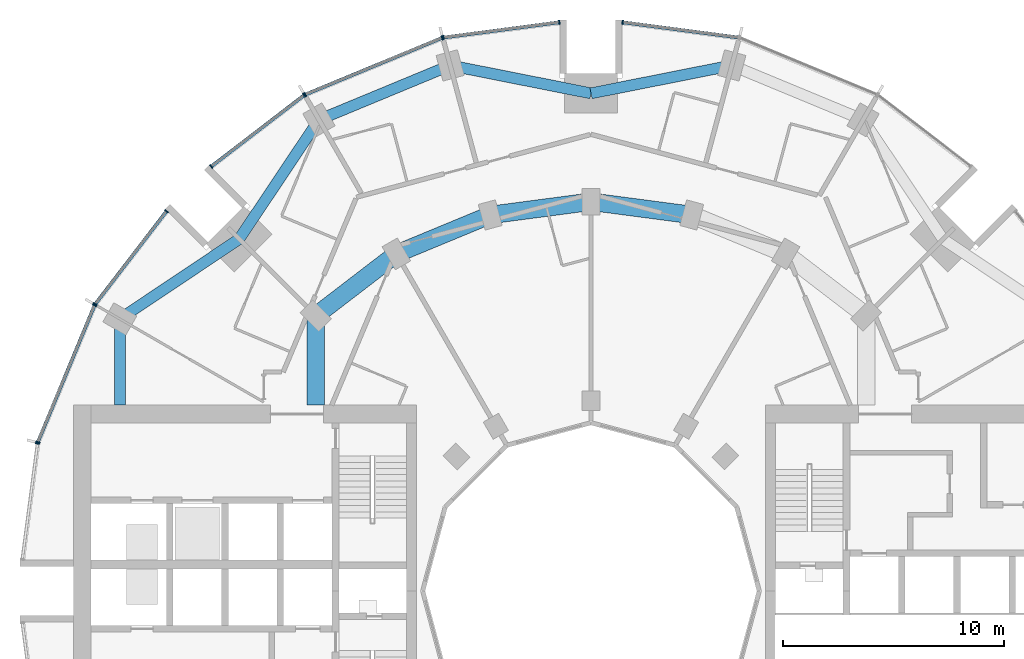
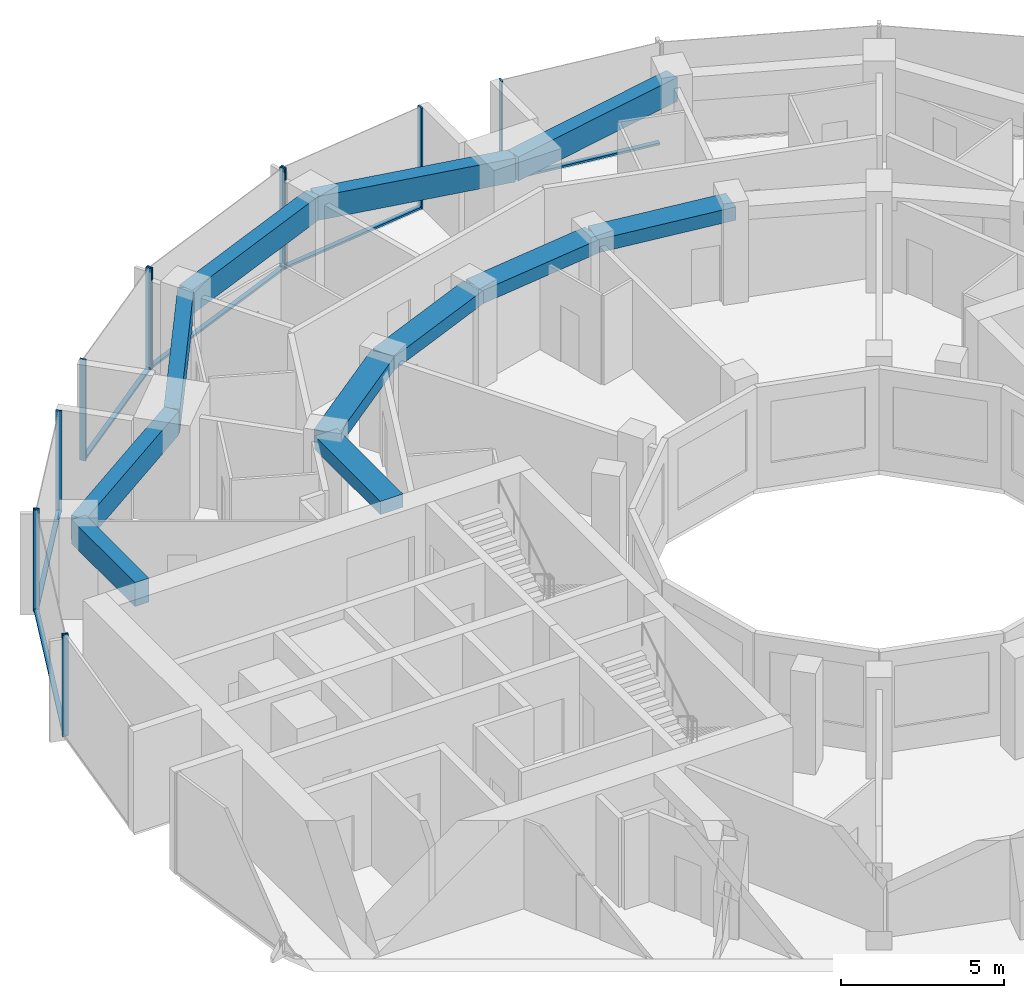
# One storey, part 5 of 15: 18 members, 11 beams, 7 elements without a shape of their own.
"""IFC4 building model written with IfcOpenShell, lengths in metres."""

import ifcopenshell
import ifcopenshell.guid

model = None  # the IFC model being written
_history = None  # IfcOwnerHistory: only IFC2X3 demands one
_inside = {}  # id of a spatial element -> (the spatial element, [elements in it])
_under = {}  # id of a project, library or spatial element -> (it, [spatial elements below it])
_declared = {}  # id of a project -> (the project, [libraries it declares])
_typed = {}  # id of a type object -> (the type object, [elements of that type])
_made_of = {}  # id of a material, layer set ... -> (it, [elements and type objects made of it])


def new_model(schema):
    """Start an empty IFC model of exactly this schema.

    Asked for "IFC4X3", IfcOpenShell would pick the latest addendum, in which some entities
    have other attributes; the version numbers below select the first issue.
    IFC2X3 requires an IfcOwnerHistory on every rooted entity: one is made here for all.
    """
    global model, _history
    if schema == "IFC4X3":
        model = ifcopenshell.file(schema_version=(4, 3, 0, 0))
    else:
        model = ifcopenshell.file(schema=schema)
    _inside.clear()
    _under.clear()
    _declared.clear()
    _typed.clear()
    _made_of.clear()
    _history = None
    if model.schema == "IFC2X3":
        org = make("IfcOrganization", Name="unknown")
        user = make(
            "IfcPersonAndOrganization",
            ThePerson=make("IfcPerson", FamilyName="unknown"),
            TheOrganization=org,
        )
        app = make(
            "IfcApplication",
            ApplicationDeveloper=org,
            Version="unknown",
            ApplicationFullName="unknown",
            ApplicationIdentifier="unknown",
        )
        _history = make(
            "IfcOwnerHistory",
            OwningUser=user,
            OwningApplication=app,
            ChangeAction="ADDED",
            CreationDate=0,
        )
    return model


def make(cls, **values):
    """One entity of the class cls with the attributes given. An attribute that is None is left unset."""
    return model.create_entity(
        cls, **{name: value for name, value in values.items() if value is not None}
    )


def rooted(cls, **values):
    """An entity with a GlobalId (a new one), such as an element, a storey or a relation."""
    return make(cls, GlobalId=ifcopenshell.guid.new(), OwnerHistory=_history, **values)


def si_unit(unit_type, name, prefix=None):
    """IfcSIUnit, for example si_unit("LENGTHUNIT", "METRE", prefix="MILLI")."""
    return make("IfcSIUnit", UnitType=unit_type, Prefix=prefix, Name=name)


def assignment(units):
    """IfcUnitAssignment: the units of a project."""
    return None if units is None else make("IfcUnitAssignment", Units=units)


def point(xyz):
    """IfcCartesianPoint."""
    return None if xyz is None else make("IfcCartesianPoint", Coordinates=xyz)


def direction(xyz):
    """IfcDirection."""
    return None if xyz is None else make("IfcDirection", DirectionRatios=xyz)


def frame(location, z_axis=None, x_axis=None):
    """IfcAxis2Placement3D, a coordinate frame: its origin and axes. An axis left out is left unset."""
    return make(
        "IfcAxis2Placement3D",
        Location=point(location),
        Axis=direction(z_axis),
        RefDirection=direction(x_axis),
    )


def frame_2d(location, x_axis=None):
    """IfcAxis2Placement2D, a coordinate frame in the plane: its origin and x axis."""
    return make(
        "IfcAxis2Placement2D", Location=point(location), RefDirection=direction(x_axis)
    )


def origin():
    """The frame at (0, 0, 0) with its axes left unset."""
    return frame((0.0, 0.0, 0.0))


def origin_2d():
    """The frame at (0, 0) in the plane with its x axis left unset."""
    return frame_2d((0.0, 0.0))


def place(relative_to, where):
    """IfcLocalPlacement: puts the frame where relative to a parent placement (None: the world)."""
    return make(
        "IfcLocalPlacement", PlacementRelTo=relative_to, RelativePlacement=where
    )


def context(
    kind, dimensions, precision=None, world=None, true_north=None, identifier=None
):
    """IfcGeometricRepresentationContext, for example the 3D "Model" context."""
    return make(
        "IfcGeometricRepresentationContext",
        ContextIdentifier=identifier,
        ContextType=kind,
        CoordinateSpaceDimension=dimensions,
        Precision=precision,
        WorldCoordinateSystem=world,
        TrueNorth=true_north,
    )


def subcontext(parent, identifier, kind, view, scale=None):
    """IfcGeometricRepresentationSubContext, for example "Body" below "Model"."""
    return make(
        "IfcGeometricRepresentationSubContext",
        ContextIdentifier=identifier,
        ContextType=kind,
        ParentContext=parent,
        TargetScale=scale,
        TargetView=view,
    )


def project(units=None, contexts=None):
    """IfcProject with its units and contexts."""
    return rooted(
        "IfcProject",
        Name="project",
        RepresentationContexts=contexts,
        UnitsInContext=assignment(units),
    )


def spatial(cls, under=None, at=None, **own):
    """A site, building, storey or space (cls), placed at a placement, below another one or the project."""
    s = rooted(cls, ObjectPlacement=at, **own)
    if under is not None:
        _under.setdefault(under.id(), (under, []))[1].append(s)
    return s


def profile(cls, at=None, kind="AREA", **sizes):
    """A parametric profile (cls). Its sizes go by their IFC names, for example OverallWidth=200.0."""
    return make(cls, ProfileType=kind, Position=at, **sizes)


def rectangle(**sizes):
    """IfcRectangleProfileDef."""
    return profile("IfcRectangleProfileDef", **sizes)


def extrude(swept, where, along, depth):
    """IfcExtrudedAreaSolid: the profile swept, set in the frame where, extruded along a direction by depth."""
    return make(
        "IfcExtrudedAreaSolid",
        SweptArea=swept,
        Position=where,
        ExtrudedDirection=direction(along),
        Depth=depth,
    )


def shape(context_of_items, identifier, shape_type, items):
    """IfcShapeRepresentation: the items that make up one representation, for example the "Body"."""
    return make(
        "IfcShapeRepresentation",
        ContextOfItems=context_of_items,
        RepresentationIdentifier=identifier,
        RepresentationType=shape_type,
        Items=items,
    )


def material(Name=None, Category=None):
    """IfcMaterial."""
    return make("IfcMaterial", Name=Name, Category=Category)


def layer(
    of_material, thickness, ventilated=None, Name=None, Category=None, Priority=None
):
    """IfcMaterialLayer: one layer of a wall or slab, of a material (None: an air gap)."""
    return make(
        "IfcMaterialLayer",
        Material=of_material,
        LayerThickness=thickness,
        IsVentilated=ventilated,
        Name=Name,
        Category=Category,
        Priority=Priority,
    )


def layer_set(layers, Name=None):
    """IfcMaterialLayerSet."""
    return make("IfcMaterialLayerSet", MaterialLayers=layers, LayerSetName=Name)


def material_profile(
    of_material, cross_section, Name=None, Category=None, Priority=None
):
    """IfcMaterialProfile: a cross section and its material."""
    return make(
        "IfcMaterialProfile",
        Name=Name,
        Material=of_material,
        Profile=cross_section,
        Priority=Priority,
        Category=Category,
    )


def profile_set(profiles, Name=None, composite=None):
    """IfcMaterialProfileSet."""
    return make(
        "IfcMaterialProfileSet",
        Name=Name,
        MaterialProfiles=profiles,
        CompositeProfile=composite,
    )


def made_of(thing, what):
    """Note that an element or type object is made of a material, layer set ...; save() writes the relation."""
    if what is not None:
        _made_of.setdefault(what.id(), (what, []))[1].append(thing)
    return thing


def type_object(cls, material=None, **own):
    """A type object (cls), such as IfcWallType, which elements share."""
    return made_of(rooted(cls, **own), material)


def element(
    cls,
    number,
    at=None,
    inside=None,
    cuts=None,
    type_object=None,
    material=None,
    context=None,
    identifier="Body",
    shape_type=None,
    held_by="IfcProductDefinitionShape",
    body=None,
    shapes=None,
    **own,
):
    """One element of the class cls, such as IfcWall. Its Tag is "e" and its number.

    at: its placement. inside: the storey or other place that contains it. cuts: it is an
    opening in that element (IfcRelVoidsElement). A single representation is given by context,
    identifier, shape_type and body (its items); several are given by shapes. held_by: the class
    of the entity that holds the representations. save() writes the other relations.
    """
    e = rooted(cls, Tag="e%d" % number, ObjectPlacement=at, **own)
    if body is not None:
        shapes = [shape(context, identifier, shape_type, body)]
    if shapes is not None:
        e.Representation = make(held_by, Representations=shapes)
    if inside is not None:
        _inside.setdefault(inside.id(), (inside, []))[1].append(e)
    if cuts is not None:
        rooted(
            "IfcRelVoidsElement", RelatingBuildingElement=cuts, RelatedOpeningElement=e
        )
    if type_object is not None:
        _typed.setdefault(type_object.id(), (type_object, []))[1].append(e)
    return made_of(e, material)


def aggregate(whole, parts):
    """IfcRelAggregates: a whole, such as a stair, and the parts it consists of."""
    return rooted("IfcRelAggregates", RelatingObject=whole, RelatedObjects=parts)


def save(model, path):
    """Write the relations noted so far, then the file.

    IfcRelAggregates (storeys below a building ...), IfcRelContainedInSpatialStructure (elements
    in a storey), IfcRelDefinesByType, IfcRelAssociatesMaterial and IfcRelDeclares: one each for
    every whole, place, type object, material and project.
    """
    for whole, parts in _under.values():
        aggregate(whole, parts)
    for where, things in _inside.values():
        rooted(
            "IfcRelContainedInSpatialStructure",
            RelatedElements=things,
            RelatingStructure=where,
        )
    for kind, things in _typed.values():
        rooted("IfcRelDefinesByType", RelatedObjects=things, RelatingType=kind)
    for what, things in _made_of.values():
        rooted("IfcRelAssociatesMaterial", RelatedObjects=things, RelatingMaterial=what)
    for by, libraries in _declared.values():
        rooted("IfcRelDeclares", RelatingContext=by, RelatedDefinitions=libraries)
    model.write(path)


model = new_model("IFC4")

# Units and contexts
model_context = context("Model", 3, precision=1e-05, world=origin(), true_north=direction((0.0, 1.0)))
body_context = subcontext(model_context, "Body", "Model", "MODEL_VIEW")
ifc_project = project(units=[si_unit("LENGTHUNIT", "METRE"), si_unit("AREAUNIT", "SQUARE_METRE"), si_unit("VOLUMEUNIT", "CUBIC_METRE"), si_unit("PLANEANGLEUNIT", "RADIAN"), si_unit("MASSUNIT", "GRAM", prefix="KILO")], contexts=[model_context])

# Site, building, storey
site_placement = place(None, origin())
site = spatial("IfcSite", under=ifc_project, at=site_placement, CompositionType="ELEMENT")
building_placement = place(site_placement, origin())
building = spatial("IfcBuilding", under=site, at=building_placement, Name="Torre Brocal", CompositionType="ELEMENT")
storey_placement = place(building_placement, frame((0.0, 0.0, 86.199951171875)))
storey = spatial("IfcBuildingStorey", under=building, at=storey_placement, Name="L19", CompositionType="ELEMENT", Elevation=86.199951171875)

# Curtain wall, member
ifc_material_1 = material(Name="Aluminium and glass", Category="aluminium")
ifc_layer_1 = layer(ifc_material_1, 0.199951171875)
ifc_layer_set_1 = layer_set([ifc_layer_1], Name="Aluminium and glass")
curtain_wall_type_1 = type_object("IfcCurtainWallType", Name="CW-1 CURTAIN WALL 3800 HIGH", PredefinedType="NOTDEFINED", material=ifc_layer_set_1)
curtain_wall_1_placement = place(storey_placement, origin())
curtain_wall_1 = element("IfcCurtainWall", 1, at=curtain_wall_1_placement, inside=storey, type_object=curtain_wall_type_1, Name="CW-1 RUN 6", PredefinedType="NOTDEFINED")
ifc_material_2 = material(Name="Aluminium, dark anodised", Category="aluminium")
ifc_material_profile_1 = material_profile(ifc_material_2, rectangle(XDim=0.199951171875, YDim=0.06005859375, at=origin_2d()), Name="CW-1 MULLION 60X200")
ifc_profile_set_1 = profile_set([ifc_material_profile_1], Name="Aluminium, dark anodised")
member_type_1 = type_object("IfcMemberType", Name="CW-1 MULLION 60X200", PredefinedType="MULLION", material=ifc_profile_set_1)
member_1_placement = place(storey_placement, frame((81.4296875, 100.7109375, 0.0), z_axis=(0.0, 0.0, 1.0), x_axis=(-0.13052619222, -0.991444861374, 0.0)))
member_1 = element("IfcMember", 2, at=member_1_placement, type_object=member_type_1, Name="CW1-1 mullion 2", PredefinedType="MULLION", context=body_context, shape_type="SweptSolid", body=[
    extrude(rectangle(XDim=0.199951171875, YDim=0.06005859375, at=origin_2d()), origin(), (0.0, 0.0, 1.0), 3.800048828125),
])

# Curtain wall, members
curtain_wall_2_placement = place(storey_placement, origin())
curtain_wall_2 = element("IfcCurtainWall", 3, at=curtain_wall_2_placement, inside=storey, type_object=curtain_wall_type_1, Name="CW-1 RUN 7", PredefinedType="NOTDEFINED")
member_2_placement = place(storey_placement, frame((78.5703125, 100.7109375, 0.0), z_axis=(0.0, 0.0, 1.0), x_axis=(0.13052619222, -0.991444861374, 0.0)))
member_2 = element("IfcMember", 4, at=member_2_placement, type_object=member_type_1, Name="CW1-1 mullion 1", PredefinedType="MULLION", context=body_context, shape_type="SweptSolid", body=[
    extrude(rectangle(XDim=0.199951171875, YDim=0.06005859375, at=origin_2d()), origin(), (0.0, 0.0, 1.0), 3.800048828125),
])
member_3_placement = place(storey_placement, frame((73.32666015625, 100.0205078125, 0.0), z_axis=(0.0, 0.0, 1.0), x_axis=(0.13052619222, -0.991444861374, 0.0)))
member_3 = element("IfcMember", 5, at=member_3_placement, type_object=member_type_1, Name="CW1-1 mullion 2", PredefinedType="MULLION", context=body_context, shape_type="SweptSolid", body=[
    extrude(rectangle(XDim=0.199951171875, YDim=0.06005859375, at=origin_2d()), origin(), (0.0, 0.0, 1.0), 3.800048828125),
])

curtain_wall_3_placement = place(storey_placement, origin())
curtain_wall_3 = element("IfcCurtainWall", 6, at=curtain_wall_3_placement, inside=storey, type_object=curtain_wall_type_1, Name="CW-1 RUN 8", PredefinedType="NOTDEFINED")
member_4_placement = place(storey_placement, frame((73.26904296875, 100.005126953125, 0.0), z_axis=(0.0, 0.0, 1.0), x_axis=(0.382683432333, -0.923879532525, 0.0)))
member_4 = element("IfcMember", 7, at=member_4_placement, type_object=member_type_1, Name="CW1-1 mullion 1", PredefinedType="MULLION", context=body_context, shape_type="SweptSolid", body=[
    extrude(rectangle(XDim=0.199951171875, YDim=0.06005859375, at=origin_2d()), origin(), (0.0, 0.0, 1.0), 3.800048828125),
])
member_5_placement = place(storey_placement, frame((67.078125, 97.440673828125, 0.0), z_axis=(0.0, 0.0, 1.0), x_axis=(0.382683432333, -0.923879532525, 0.0)))
member_5 = element("IfcMember", 8, at=member_5_placement, type_object=member_type_1, Name="CW1-1 mullion 2", PredefinedType="MULLION", context=body_context, shape_type="SweptSolid", body=[
    extrude(rectangle(XDim=0.199951171875, YDim=0.06005859375, at=origin_2d()), origin(), (0.0, 0.0, 1.0), 3.800048828125),
])

curtain_wall_4_placement = place(storey_placement, origin())
curtain_wall_4 = element("IfcCurtainWall", 9, at=curtain_wall_4_placement, inside=storey, type_object=curtain_wall_type_1, Name="CW-1 RUN 9", PredefinedType="NOTDEFINED")
member_6_placement = place(storey_placement, frame((67.026611328125, 97.4111328125, 0.0), z_axis=(0.0, 0.0, 1.0), x_axis=(0.60876142905, -0.793353340259, 0.0)))
member_6 = element("IfcMember", 10, at=member_6_placement, type_object=member_type_1, Name="CW1-1 mullion 1", PredefinedType="MULLION", context=body_context, shape_type="SweptSolid", body=[
    extrude(rectangle(XDim=0.199951171875, YDim=0.06005859375, at=origin_2d()), origin(), (0.0, 0.0, 1.0), 3.800048828125),
])
member_7_placement = place(storey_placement, frame((62.83056640625, 94.19140625, 0.0), z_axis=(0.0, 0.0, 1.0), x_axis=(0.60876142905, -0.793353340259, 0.0)))
member_7 = element("IfcMember", 11, at=member_7_placement, type_object=member_type_1, Name="CW1-1 mullion 2", PredefinedType="MULLION", context=body_context, shape_type="SweptSolid", body=[
    extrude(rectangle(XDim=0.199951171875, YDim=0.06005859375, at=origin_2d()), origin(), (0.0, 0.0, 1.0), 3.800048828125),
])

curtain_wall_5_placement = place(storey_placement, origin())
curtain_wall_5 = element("IfcCurtainWall", 12, at=curtain_wall_5_placement, inside=storey, type_object=curtain_wall_type_1, Name="CW-1 RUN 10", PredefinedType="NOTDEFINED")
member_8_placement = place(storey_placement, frame((60.80859375, 92.16943359375, 0.0), z_axis=(0.0, 0.0, 1.0), x_axis=(0.793353340259, -0.60876142905, 0.0)))
member_8 = element("IfcMember", 13, at=member_8_placement, type_object=member_type_1, Name="CW1-1 mullion 1", PredefinedType="MULLION", context=body_context, shape_type="SweptSolid", body=[
    extrude(rectangle(XDim=0.199951171875, YDim=0.06005859375, at=origin_2d()), origin(), (0.0, 0.0, 1.0), 3.800048828125),
])
member_9_placement = place(storey_placement, frame((57.5888671875, 87.973388671875, 0.0), z_axis=(0.0, 0.0, 1.0), x_axis=(0.793353340259, -0.60876142905, 0.0)))
member_9 = element("IfcMember", 14, at=member_9_placement, type_object=member_type_1, Name="CW1-1 mullion 2", PredefinedType="MULLION", context=body_context, shape_type="SweptSolid", body=[
    extrude(rectangle(XDim=0.199951171875, YDim=0.06005859375, at=origin_2d()), origin(), (0.0, 0.0, 1.0), 3.800048828125),
])

curtain_wall_6_placement = place(storey_placement, origin())
curtain_wall_6 = element("IfcCurtainWall", 15, at=curtain_wall_6_placement, inside=storey, type_object=curtain_wall_type_1, Name="CW-1 RUN 11", PredefinedType="NOTDEFINED")
member_10_placement = place(storey_placement, frame((57.559326171875, 87.921875, 0.0), z_axis=(0.0, 0.0, 1.0), x_axis=(0.923879532525, -0.382683432333, 0.0)))
member_10 = element("IfcMember", 16, at=member_10_placement, type_object=member_type_1, Name="CW1-1 mullion 1", PredefinedType="MULLION", context=body_context, shape_type="SweptSolid", body=[
    extrude(rectangle(XDim=0.199951171875, YDim=0.06005859375, at=origin_2d()), origin(), (0.0, 0.0, 1.0), 3.800048828125),
])
member_11_placement = place(storey_placement, frame((54.994873046875, 81.73095703125, 0.0), z_axis=(0.0, 0.0, 1.0), x_axis=(0.923879532525, -0.382683432333, 0.0)))
member_11 = element("IfcMember", 17, at=member_11_placement, type_object=member_type_1, Name="CW1-1 mullion 2", PredefinedType="MULLION", context=body_context, shape_type="SweptSolid", body=[
    extrude(rectangle(XDim=0.199951171875, YDim=0.06005859375, at=origin_2d()), origin(), (0.0, 0.0, 1.0), 3.800048828125),
])

# Member
ifc_material_3 = material(Name="Aluminium, dark anodised", Category="aluminium")
ifc_material_profile_2 = material_profile(ifc_material_3, rectangle(XDim=0.159912109375, YDim=0.080078125, at=origin_2d()), Name="CW-1 TRANSOM 160X80")
ifc_profile_set_2 = profile_set([ifc_material_profile_2], Name="Aluminium, dark anodised")
member_type_2 = type_object("IfcMemberType", Name="CW-1 TRANSOM 160X80", PredefinedType="USERDEFINED", material=ifc_profile_set_2)
member_12_placement = place(storey_placement, frame((86.643798828125, 100.0244140625, 0.0400390625), z_axis=(-0.991442690863, 0.130542677827, 0.0), x_axis=(-0.130542677827, -0.991442690863, 0.0)))
member_12 = element("IfcMember", 18, at=member_12_placement, type_object=member_type_2, Name="CW1-1 transom 1.1", ObjectType="TRANSOM", PredefinedType="USERDEFINED", context=body_context, shape_type="SweptSolid", body=[
    extrude(rectangle(XDim=0.159912109375, YDim=0.080078125, at=origin_2d()), origin(), (0.0, 0.0, 1.0), 5.22900390625),
])

aggregate(curtain_wall_1, [member_1, member_12])

member_13_placement = place(storey_placement, frame((78.54052734375, 100.70703125, 0.0400390625), z_axis=(-0.991442690863, -0.130542677827, 0.0), x_axis=(0.130542677827, -0.991442690863, 0.0)))
member_13 = element("IfcMember", 19, at=member_13_placement, type_object=member_type_2, Name="CW1-1 transom 1.1", ObjectType="TRANSOM", PredefinedType="USERDEFINED", context=body_context, shape_type="SweptSolid", body=[
    extrude(rectangle(XDim=0.159912109375, YDim=0.080078125, at=origin_2d()), origin(), (0.0, 0.0, 1.0), 5.22900390625),
])

aggregate(curtain_wall_2, [member_2, member_3, member_13])

member_14_placement = place(storey_placement, frame((73.241455078125, 99.99365234375, 0.0400390625), z_axis=(-0.923887344364, -0.38266457234, 0.0), x_axis=(0.38266457234, -0.923887344364, 0.0)))
member_14 = element("IfcMember", 20, at=member_14_placement, type_object=member_type_2, Name="CW1-1 transom 1.1", ObjectType="TRANSOM", PredefinedType="USERDEFINED", context=body_context, shape_type="SweptSolid", body=[
    extrude(rectangle(XDim=0.159912109375, YDim=0.080078125, at=origin_2d()), origin(), (0.0, 0.0, 1.0), 6.640869140625),
])

aggregate(curtain_wall_3, [member_4, member_5, member_14])

member_15_placement = place(storey_placement, frame((67.0029296875, 97.392822265625, 0.0400390625), z_axis=(-0.79336281513, -0.60874908096, 0.0), x_axis=(0.60874908096, -0.79336281513, 0.0)))
member_15 = element("IfcMember", 21, at=member_15_placement, type_object=member_type_2, Name="CW1-1 transom 1.1", ObjectType="TRANSOM", PredefinedType="USERDEFINED", context=body_context, shape_type="SweptSolid", body=[
    extrude(rectangle(XDim=0.159912109375, YDim=0.080078125, at=origin_2d()), origin(), (0.0, 0.0, 1.0), 5.22900390625),
])

aggregate(curtain_wall_4, [member_6, member_7, member_15])

member_16_placement = place(storey_placement, frame((60.790283203125, 92.1455078125, 0.0400390625), z_axis=(-0.60874908096, -0.79336281513, 0.0), x_axis=(0.79336281513, -0.60874908096, 0.0)))
member_16 = element("IfcMember", 22, at=member_16_placement, type_object=member_type_2, Name="CW1-1 transom 1.1", ObjectType="TRANSOM", PredefinedType="USERDEFINED", context=body_context, shape_type="SweptSolid", body=[
    extrude(rectangle(XDim=0.159912109375, YDim=0.080078125, at=origin_2d()), origin(), (0.0, 0.0, 1.0), 5.22900390625),
])

aggregate(curtain_wall_5, [member_8, member_9, member_16])

member_17_placement = place(storey_placement, frame((57.547607421875, 87.89404296875, 0.0400390625), z_axis=(-0.38266457234, -0.923887344364, 0.0), x_axis=(0.923887344364, -0.38266457234, 0.0)))
member_17 = element("IfcMember", 23, at=member_17_placement, type_object=member_type_2, Name="CW1-1 transom 1.1", ObjectType="TRANSOM", PredefinedType="USERDEFINED", context=body_context, shape_type="SweptSolid", body=[
    extrude(rectangle(XDim=0.159912109375, YDim=0.080078125, at=origin_2d()), origin(), (0.0, 0.0, 1.0), 6.640869140625),
])

aggregate(curtain_wall_6, [member_10, member_11, member_17])

# Curtain wall, member
ifc_material_4 = material(Name="Aluminium and glass", Category="aluminium")
ifc_layer_2 = layer(ifc_material_4, 0.199951171875)
ifc_layer_set_2 = layer_set([ifc_layer_2], Name="Aluminium and glass")
curtain_wall_type_2 = type_object("IfcCurtainWallType", Name="CW-1B CURTAIN WALL 3800 HIGH", PredefinedType="NOTDEFINED", material=ifc_layer_set_2)
curtain_wall_7_placement = place(storey_placement, origin())
curtain_wall_7 = element("IfcCurtainWall", 24, at=curtain_wall_7_placement, inside=storey, type_object=curtain_wall_type_2, Name="CW-1B RUN 12", PredefinedType="NOTDEFINED")
ifc_material_5 = material(Name="Aluminium, dark anodised", Category="aluminium")
ifc_material_profile_3 = material_profile(ifc_material_5, rectangle(XDim=0.199951171875, YDim=0.06005859375, at=origin_2d()), Name="CW-1B MULLION 60X200")
ifc_profile_set_3 = profile_set([ifc_material_profile_3], Name="Aluminium, dark anodised")
member_type_3 = type_object("IfcMemberType", Name="CW-1B MULLION 60X200", PredefinedType="MULLION", material=ifc_profile_set_3)
member_18_placement = place(storey_placement, frame((54.9794921875, 81.67333984375, 0.0), z_axis=(0.0, 0.0, 1.0), x_axis=(0.991444861374, -0.13052619222, 0.0)))
member_18 = element("IfcMember", 25, at=member_18_placement, type_object=member_type_3, Name="CW1B-1 mullion 1", PredefinedType="MULLION", context=body_context, shape_type="SweptSolid", body=[
    extrude(rectangle(XDim=0.199951171875, YDim=0.06005859375, at=origin_2d()), origin(), (0.0, 0.0, 1.0), 3.800048828125),
])
aggregate(curtain_wall_7, [member_18])

# Beams
ifc_material_6 = material(Name="Concrete C50", Category="concrete")
ifc_material_profile_4 = material_profile(ifc_material_6, rectangle(XDim=0.800048828125, YDim=0.5, at=origin_2d()), Name="RC 800X500")
ifc_profile_set_4 = profile_set([ifc_material_profile_4], Name="Concrete C50")
beam_type_1 = type_object("IfcBeamType", Name="RC BEAM 800X500 C50 TOP 3480", PredefinedType="BEAM", material=ifc_profile_set_4)
for number, where, z_axis, x_axis, name in (
    (26, (84.55517578125, 92.000244140625, 3.22998046875), (-0.991440544449, 0.130558978332, 0.0), (-0.130558978332, -0.991440544449, 0.0), "Beam BT-19"),
    (27, (80.0, 92.60009765625, 3.22998046875), (-0.991440544449, -0.130558978332, 0.0), (0.130558978332, -0.991440544449, 0.0), "Beam BT-19"),
):
    element("IfcBeam", number, at=place(storey_placement, frame(where, z_axis=z_axis, x_axis=x_axis)), inside=storey, type_object=beam_type_1, Name=name, PredefinedType="BEAM", context=body_context, shape_type="SweptSolid", body=[
        extrude(rectangle(XDim=0.800048828125, YDim=0.5, at=origin_2d()), origin(), (0.0, 0.0, 1.0), 4.594482421875),
    ])
beam_1_placement = place(storey_placement, frame((75.44482421875, 92.000244140625, 3.22998046875), z_axis=(-0.923878240166, -0.382686552348, 0.0), x_axis=(0.382686552348, -0.923878240166, 0.0)))
element("IfcBeam", 28, at=beam_1_placement, inside=storey, type_object=beam_type_1, Name="Beam BT-19", PredefinedType="BEAM", context=body_context, shape_type="SweptSolid", body=[
    extrude(rectangle(XDim=0.800048828125, YDim=0.5, at=origin_2d()), origin(), (0.0, 0.0, 1.0), 4.5947265625),
])
beam_2_placement = place(storey_placement, frame((71.199951171875, 90.241943359375, 3.22998046875), z_axis=(-0.793358265959, -0.6087550097, 0.0), x_axis=(0.6087550097, -0.793358265959, 0.0)))
element("IfcBeam", 29, at=beam_2_placement, inside=storey, type_object=beam_type_1, Name="Beam BT-19", PredefinedType="BEAM", context=body_context, shape_type="SweptSolid", body=[
    extrude(rectangle(XDim=0.800048828125, YDim=0.5, at=origin_2d()), origin(), (0.0, 0.0, 1.0), 4.594482421875),
])
beam_3_placement = place(storey_placement, frame((67.554931640625, 87.445068359375, 3.22998046875), z_axis=(0.0, -1.0, 0.0), x_axis=(1.0, 0.0, 0.0)))
element("IfcBeam", 30, at=beam_3_placement, inside=storey, type_object=beam_type_1, Name="Beam BT-19", PredefinedType="BEAM", context=body_context, shape_type="SweptSolid", body=[
    extrude(rectangle(XDim=0.800048828125, YDim=0.5, at=origin_2d()), origin(), (0.0, 0.0, 1.0), 4.045166015625),
])
ifc_material_7 = material(Name="Concrete C50", Category="concrete")
ifc_material_profile_5 = material_profile(ifc_material_7, rectangle(XDim=0.5, YDim=0.89990234375, at=origin_2d()), Name="RC 500X900")
ifc_profile_set_5 = profile_set([ifc_material_profile_5], Name="Concrete C50")
beam_type_2 = type_object("IfcBeamType", Name="RC SPANDREL BEAM 500X900 C50 TOP 3480", PredefinedType="SPANDREL", material=ifc_profile_set_5)
for number, where, z_axis, x_axis, name in (
    (31, (86.366943359375, 98.76171875, 3.030029296875), (-0.980924907484, -0.194387051723, 0.0), (0.194387051723, -0.980924907484, 0.0), "Beam BT-20"),
    (32, (80.0, 97.5, 3.030029296875), (-0.980924907484, 0.194387051723, 0.0), (-0.194387051723, -0.980924907484, 0.0), "Beam BT-20"),
):
    element("IfcBeam", number, at=place(storey_placement, frame(where, z_axis=z_axis, x_axis=x_axis)), inside=storey, type_object=beam_type_2, Name=name, PredefinedType="SPANDREL", context=body_context, shape_type="SweptSolid", body=[
        extrude(rectangle(XDim=0.5, YDim=0.89990234375, at=origin_2d()), origin(), (0.0, 0.0, 1.0), 6.49072265625),
    ])
beam_4_placement = place(storey_placement, frame((73.633056640625, 98.76171875, 3.030029296875), z_axis=(-0.923882462513, -0.382676358639, 0.0), x_axis=(0.382676358639, -0.923882462513, 0.0)))
element("IfcBeam", 33, at=beam_4_placement, inside=storey, type_object=beam_type_2, Name="Beam BT-20", PredefinedType="SPANDREL", context=body_context, shape_type="SweptSolid", body=[
    extrude(rectangle(XDim=0.5, YDim=0.89990234375, at=origin_2d()), origin(), (0.0, 0.0, 1.0), 6.421875),
])
for number, where, z_axis, x_axis, name in (
    (34, (67.699951171875, 96.30419921875, 3.030029296875), (-0.556157602282, -0.831076844476, 0.0), (0.831076844476, -0.556157602282, 0.0), "Beam BT-20"),
    (35, (64.090087890625, 90.909912109375, 3.030029296875), (-0.831076844476, -0.556157602282, 0.0), (0.556157602282, -0.831076844476, 0.0), "Beam BT-20"),
):
    element("IfcBeam", number, at=place(storey_placement, frame(where, z_axis=z_axis, x_axis=x_axis)), inside=storey, type_object=beam_type_2, Name=name, PredefinedType="SPANDREL", context=body_context, shape_type="SweptSolid", body=[
        extrude(rectangle(XDim=0.5, YDim=0.89990234375, at=origin_2d()), origin(), (0.0, 0.0, 1.0), 6.49072265625),
    ])
beam_5_placement = place(storey_placement, frame((58.69580078125, 87.300048828125, 3.030029296875), z_axis=(0.0, -1.0, 0.0), x_axis=(1.0, 0.0, 0.0)))
element("IfcBeam", 36, at=beam_5_placement, inside=storey, type_object=beam_type_2, Name="Beam BT-20", PredefinedType="SPANDREL", context=body_context, shape_type="SweptSolid", body=[
    extrude(rectangle(XDim=0.5, YDim=0.89990234375, at=origin_2d()), origin(), (0.0, 0.0, 1.0), 3.900146484375),
])

save(model, "model.ifc")
